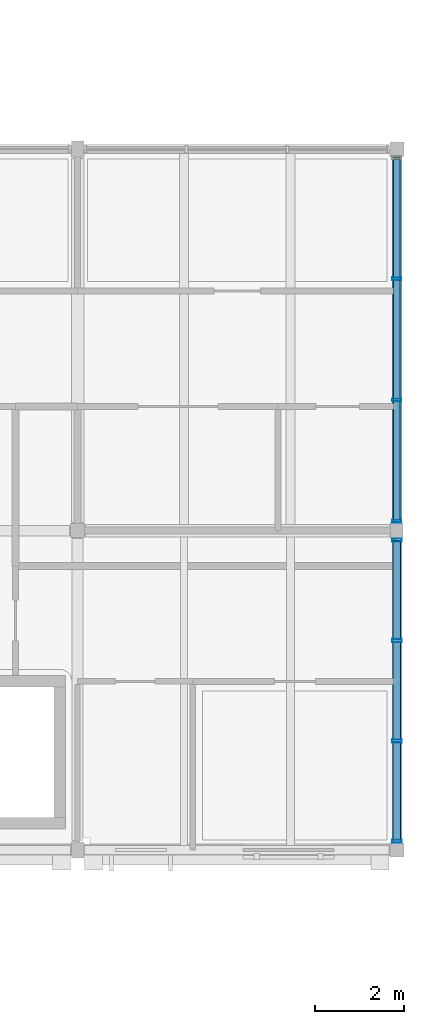
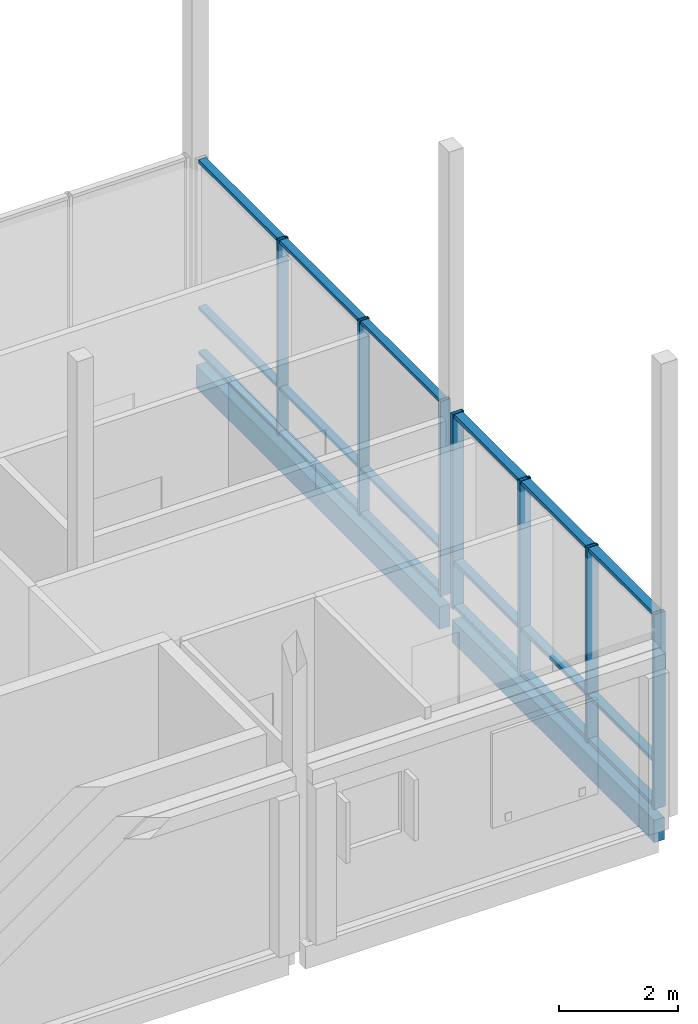
# One storey, part 56 of 115: 25 members, 2 beams, 2 elements without a shape of their own.
"""IFC4 building model written with IfcOpenShell, lengths in metres."""

from ifc_helpers import new_model, si_unit, direction, frame, origin, origin_2d, place, context, subcontext, project, spatial, rectangle, hollow_rectangle, extrude, material, material_profile, profile_set, type_object, element, aggregate, save


model = new_model("IFC4")

# Units and contexts
model_context = context("Model", 3, precision=1e-05, world=origin(), true_north=direction((0.0, 1.0)))
body_context = subcontext(model_context, "Body", "Model", "MODEL_VIEW")
ifc_project = project(units=[si_unit("LENGTHUNIT", "METRE"), si_unit("AREAUNIT", "SQUARE_METRE"), si_unit("VOLUMEUNIT", "CUBIC_METRE"), si_unit("PLANEANGLEUNIT", "RADIAN"), si_unit("MASSUNIT", "GRAM", prefix="KILO")], contexts=[model_context])

# Site, building, storey
site_placement = place(None, origin())
site = spatial("IfcSite", under=ifc_project, at=site_placement, CompositionType="ELEMENT")
building_placement = place(site_placement, origin())
building = spatial("IfcBuilding", under=site, at=building_placement, Name="Hawrajan Terrace Health Centre", CompositionType="ELEMENT")
storey_placement = place(building_placement, frame((0.0, 0.0, 9.0)))
storey = spatial("IfcBuildingStorey", under=building, at=storey_placement, Name="L02", CompositionType="ELEMENT", Elevation=9.0)

# Curtain wall, members
ifc_material_1 = material(Name="Anodized bronze aluminium and low-E solar glazing", Category="aluminium")
curtain_wall_type_1 = type_object("IfcCurtainWallType", Name="CW_Hall_SeriesD1", PredefinedType="USERDEFINED", material=ifc_material_1)
curtain_wall_1_placement = place(storey_placement, origin())
curtain_wall_1 = element("IfcCurtainWall", 1, at=curtain_wall_1_placement, inside=storey, type_object=curtain_wall_type_1, Name="Curtain wall CW-L02-154", ObjectType="UNITISED CURTAIN WALL", PredefinedType="USERDEFINED")
ifc_material_2 = material(Name="Anodized bronze aluminium 6063-T6", Category="aluminium")
ifc_material_profile_1 = material_profile(ifc_material_2, hollow_rectangle(XDim=0.06494140625, YDim=0.199951171875, WallThickness=0.00439453125, at=origin_2d()), Name="CW MUL 65x200")
ifc_profile_set_1 = profile_set([ifc_material_profile_1], Name="Anodized bronze aluminium 6063-T6")
member_type_1 = type_object("IfcMemberType", Name="CWMullion_65x200", PredefinedType="MULLION", material=ifc_profile_set_1)
member_1_placement = place(storey_placement, frame((165.39990234375, 18.8125, -0.0048828125), z_axis=(0.0, 0.0, 1.0), x_axis=(0.0, 1.0, 0.0)))
member_1 = element("IfcMember", 2, at=member_1_placement, type_object=member_type_1, Name="Mullion CW-L02-154-M1", PredefinedType="MULLION", context=body_context, shape_type="SweptSolid", body=[
    extrude(hollow_rectangle(XDim=0.06494140625, YDim=0.199951171875, WallThickness=0.00439453125, at=origin_2d()), origin(), (0.0, 0.0, 1.0), 4.009765625),
])
member_2_placement = place(storey_placement, frame((165.39990234375, 21.544189453125, -0.0048828125), z_axis=(0.0, 0.0, 1.0), x_axis=(0.0, 1.0, 0.0)))
member_2 = element("IfcMember", 3, at=member_2_placement, type_object=member_type_1, Name="Mullion CW-L02-154-M2", PredefinedType="MULLION", context=body_context, shape_type="SweptSolid", body=[
    extrude(hollow_rectangle(XDim=0.06494140625, YDim=0.199951171875, WallThickness=0.00439453125, at=origin_2d()), origin(), (0.0, 0.0, 1.0), 4.009765625),
])
member_3_placement = place(storey_placement, frame((165.39990234375, 24.27587890625, -0.0048828125), z_axis=(0.0, 0.0, 1.0), x_axis=(0.0, 1.0, 0.0)))
member_3 = element("IfcMember", 4, at=member_3_placement, type_object=member_type_1, Name="Mullion CW-L02-154-M3", PredefinedType="MULLION", context=body_context, shape_type="SweptSolid", body=[
    extrude(hollow_rectangle(XDim=0.06494140625, YDim=0.199951171875, WallThickness=0.00439453125, at=origin_2d()), origin(), (0.0, 0.0, 1.0), 4.009765625),
])

curtain_wall_type_2 = type_object("IfcCurtainWallType", Name="CW_CourtNS_SeriesC2", PredefinedType="USERDEFINED", material=ifc_material_1)
curtain_wall_2_placement = place(storey_placement, origin())
curtain_wall_2 = element("IfcCurtainWall", 5, at=curtain_wall_2_placement, inside=storey, type_object=curtain_wall_type_2, Name="Curtain wall CW-L02-152", ObjectType="UNITISED CURTAIN WALL", PredefinedType="USERDEFINED")
ifc_material_profile_2 = material_profile(ifc_material_2, hollow_rectangle(XDim=0.074951171875, YDim=0.219970703125, WallThickness=0.0048828125, at=origin_2d()), Name="CW MUL 75x220")
ifc_profile_set_2 = profile_set([ifc_material_profile_2], Name="Anodized bronze aluminium 6063-T6")
member_type_2 = type_object("IfcMemberType", Name="CWMullion_75x220", PredefinedType="MULLION", material=ifc_profile_set_2)
member_4_placement = place(storey_placement, frame((165.39990234375, 11.597412109375, -0.0048828125), z_axis=(0.0, 0.0, 1.0), x_axis=(0.0, 1.0, 0.0)))
member_4 = element("IfcMember", 6, at=member_4_placement, type_object=member_type_2, Name="Mullion CW-L02-152-M1", PredefinedType="MULLION", context=body_context, shape_type="SweptSolid", body=[
    extrude(hollow_rectangle(XDim=0.074951171875, YDim=0.219970703125, WallThickness=0.0048828125, at=origin_2d()), origin(), (0.0, 0.0, 1.0), 4.009765625),
])
member_5_placement = place(storey_placement, frame((165.39990234375, 13.859130859375, -0.0048828125), z_axis=(0.0, 0.0, 1.0), x_axis=(0.0, 1.0, 0.0)))
member_5 = element("IfcMember", 7, at=member_5_placement, type_object=member_type_2, Name="Mullion CW-L02-152-M2", PredefinedType="MULLION", context=body_context, shape_type="SweptSolid", body=[
    extrude(hollow_rectangle(XDim=0.074951171875, YDim=0.219970703125, WallThickness=0.0048828125, at=origin_2d()), origin(), (0.0, 0.0, 1.0), 4.009765625),
])
member_6_placement = place(storey_placement, frame((165.39990234375, 16.120849609375, -0.0048828125), z_axis=(0.0, 0.0, 1.0), x_axis=(0.0, 1.0, 0.0)))
member_6 = element("IfcMember", 8, at=member_6_placement, type_object=member_type_2, Name="Mullion CW-L02-152-M3", PredefinedType="MULLION", context=body_context, shape_type="SweptSolid", body=[
    extrude(hollow_rectangle(XDim=0.074951171875, YDim=0.219970703125, WallThickness=0.0048828125, at=origin_2d()), origin(), (0.0, 0.0, 1.0), 4.009765625),
])
member_7_placement = place(storey_placement, frame((165.39990234375, 18.382568359375, -0.0048828125), z_axis=(0.0, 0.0, 1.0), x_axis=(0.0, 1.0, 0.0)))
member_7 = element("IfcMember", 9, at=member_7_placement, type_object=member_type_2, Name="Mullion CW-L02-152-M4", PredefinedType="MULLION", context=body_context, shape_type="SweptSolid", body=[
    extrude(hollow_rectangle(XDim=0.074951171875, YDim=0.219970703125, WallThickness=0.0048828125, at=origin_2d()), origin(), (0.0, 0.0, 1.0), 4.009765625),
])

# Member
ifc_material_profile_3 = material_profile(ifc_material_2, hollow_rectangle(XDim=0.06494140625, YDim=0.14990234375, WallThickness=0.00390625, at=origin_2d()), Name="CW TRN 65x150")
ifc_profile_set_3 = profile_set([ifc_material_profile_3], Name="Anodized bronze aluminium 6063-T6")
member_type_3 = type_object("IfcMemberType", Name="CWTransom_65x150", PredefinedType="USERDEFINED", material=ifc_profile_set_3)
member_8_placement = place(storey_placement, frame((165.39990234375, 18.839111328125, 0.032470703125), z_axis=(0.0, 1.0, 0.0), x_axis=(0.0, 0.0, 1.0)))
member_8 = element("IfcMember", 10, at=member_8_placement, type_object=member_type_3, Name="Transom CW-L02-154-T1-1", ObjectType="TRANSOM", PredefinedType="USERDEFINED", context=body_context, shape_type="SweptSolid", body=[
    extrude(hollow_rectangle(XDim=0.06494140625, YDim=0.14990234375, WallThickness=0.00390625, at=origin_2d()), origin(), (0.0, 0.0, 1.0), 2.678466796875),
])

member_9_placement = place(storey_placement, frame((165.39990234375, 18.839111328125, 0.949951171875), z_axis=(0.0, 1.0, 0.0), x_axis=(0.0, 0.0, 1.0)))
member_9 = element("IfcMember", 11, at=member_9_placement, type_object=member_type_3, Name="Transom CW-L02-154-T1-2", ObjectType="TRANSOM", PredefinedType="USERDEFINED", context=body_context, shape_type="SweptSolid", body=[
    extrude(hollow_rectangle(XDim=0.06494140625, YDim=0.14990234375, WallThickness=0.00390625, at=origin_2d()), origin(), (0.0, 0.0, 1.0), 2.678466796875),
])

member_10_placement = place(storey_placement, frame((165.39990234375, 18.839111328125, 3.967529296875), z_axis=(0.0, 1.0, 0.0), x_axis=(0.0, 0.0, 1.0)))
member_10 = element("IfcMember", 12, at=member_10_placement, type_object=member_type_3, Name="Transom CW-L02-154-T1-3", ObjectType="TRANSOM", PredefinedType="USERDEFINED", context=body_context, shape_type="SweptSolid", body=[
    extrude(hollow_rectangle(XDim=0.06494140625, YDim=0.14990234375, WallThickness=0.00390625, at=origin_2d()), origin(), (0.0, 0.0, 1.0), 2.678466796875),
])

member_11_placement = place(storey_placement, frame((165.39990234375, 21.57080078125, 0.032470703125), z_axis=(0.0, 1.0, 0.0), x_axis=(0.0, 0.0, 1.0)))
member_11 = element("IfcMember", 13, at=member_11_placement, type_object=member_type_3, Name="Transom CW-L02-154-T2-1", ObjectType="TRANSOM", PredefinedType="USERDEFINED", context=body_context, shape_type="SweptSolid", body=[
    extrude(hollow_rectangle(XDim=0.06494140625, YDim=0.14990234375, WallThickness=0.00390625, at=origin_2d()), origin(), (0.0, 0.0, 1.0), 2.678466796875),
])

member_12_placement = place(storey_placement, frame((165.39990234375, 21.57080078125, 0.949951171875), z_axis=(0.0, 1.0, 0.0), x_axis=(0.0, 0.0, 1.0)))
member_12 = element("IfcMember", 14, at=member_12_placement, type_object=member_type_3, Name="Transom CW-L02-154-T2-2", ObjectType="TRANSOM", PredefinedType="USERDEFINED", context=body_context, shape_type="SweptSolid", body=[
    extrude(hollow_rectangle(XDim=0.06494140625, YDim=0.14990234375, WallThickness=0.00390625, at=origin_2d()), origin(), (0.0, 0.0, 1.0), 2.678466796875),
])

member_13_placement = place(storey_placement, frame((165.39990234375, 21.57080078125, 3.967529296875), z_axis=(0.0, 1.0, 0.0), x_axis=(0.0, 0.0, 1.0)))
member_13 = element("IfcMember", 15, at=member_13_placement, type_object=member_type_3, Name="Transom CW-L02-154-T2-3", ObjectType="TRANSOM", PredefinedType="USERDEFINED", context=body_context, shape_type="SweptSolid", body=[
    extrude(hollow_rectangle(XDim=0.06494140625, YDim=0.14990234375, WallThickness=0.00390625, at=origin_2d()), origin(), (0.0, 0.0, 1.0), 2.678466796875),
])

member_14_placement = place(storey_placement, frame((165.39990234375, 24.30224609375, 0.032470703125), z_axis=(0.0, 1.0, 0.0), x_axis=(0.0, 0.0, 1.0)))
member_14 = element("IfcMember", 16, at=member_14_placement, type_object=member_type_3, Name="Transom CW-L02-154-T3-1", ObjectType="TRANSOM", PredefinedType="USERDEFINED", context=body_context, shape_type="SweptSolid", body=[
    extrude(hollow_rectangle(XDim=0.06494140625, YDim=0.14990234375, WallThickness=0.00390625, at=origin_2d()), origin(), (0.0, 0.0, 1.0), 2.6787109375),
])

member_15_placement = place(storey_placement, frame((165.39990234375, 24.30224609375, 0.949951171875), z_axis=(0.0, 1.0, 0.0), x_axis=(0.0, 0.0, 1.0)))
member_15 = element("IfcMember", 17, at=member_15_placement, type_object=member_type_3, Name="Transom CW-L02-154-T3-2", ObjectType="TRANSOM", PredefinedType="USERDEFINED", context=body_context, shape_type="SweptSolid", body=[
    extrude(hollow_rectangle(XDim=0.06494140625, YDim=0.14990234375, WallThickness=0.00390625, at=origin_2d()), origin(), (0.0, 0.0, 1.0), 2.6787109375),
])

member_16_placement = place(storey_placement, frame((165.39990234375, 24.30224609375, 3.967529296875), z_axis=(0.0, 1.0, 0.0), x_axis=(0.0, 0.0, 1.0)))
member_16 = element("IfcMember", 18, at=member_16_placement, type_object=member_type_3, Name="Transom CW-L02-154-T3-3", ObjectType="TRANSOM", PredefinedType="USERDEFINED", context=body_context, shape_type="SweptSolid", body=[
    extrude(hollow_rectangle(XDim=0.06494140625, YDim=0.14990234375, WallThickness=0.00390625, at=origin_2d()), origin(), (0.0, 0.0, 1.0), 2.6787109375),
])

aggregate(curtain_wall_1, [member_1, member_2, member_3, member_8, member_9, member_10, member_11, member_12, member_13, member_14, member_15, member_16])

ifc_material_profile_4 = material_profile(ifc_material_2, hollow_rectangle(XDim=0.074951171875, YDim=0.169921875, WallThickness=0.00439453125, at=origin_2d()), Name="CW TRN 75x170")
ifc_profile_set_4 = profile_set([ifc_material_profile_4], Name="Anodized bronze aluminium 6063-T6")
member_type_4 = type_object("IfcMemberType", Name="CWTransom_75x170", PredefinedType="USERDEFINED", material=ifc_profile_set_4)
member_17_placement = place(storey_placement, frame((165.39990234375, 11.62890625, 0.03759765625), z_axis=(0.0, 1.0, 0.0), x_axis=(0.0, 0.0, 1.0)))
member_17 = element("IfcMember", 19, at=member_17_placement, type_object=member_type_4, Name="Transom CW-L02-152-T1-1", ObjectType="TRANSOM", PredefinedType="USERDEFINED", context=body_context, shape_type="SweptSolid", body=[
    extrude(hollow_rectangle(XDim=0.074951171875, YDim=0.169921875, WallThickness=0.00439453125, at=origin_2d()), origin(), (0.0, 0.0, 1.0), 2.19873046875),
])

member_18_placement = place(storey_placement, frame((165.39990234375, 11.62890625, 0.949951171875), z_axis=(0.0, 1.0, 0.0), x_axis=(0.0, 0.0, 1.0)))
member_18 = element("IfcMember", 20, at=member_18_placement, type_object=member_type_4, Name="Transom CW-L02-152-T1-2", ObjectType="TRANSOM", PredefinedType="USERDEFINED", context=body_context, shape_type="SweptSolid", body=[
    extrude(hollow_rectangle(XDim=0.074951171875, YDim=0.169921875, WallThickness=0.00439453125, at=origin_2d()), origin(), (0.0, 0.0, 1.0), 2.19873046875),
])

member_19_placement = place(storey_placement, frame((165.39990234375, 11.62890625, 3.96240234375), z_axis=(0.0, 1.0, 0.0), x_axis=(0.0, 0.0, 1.0)))
member_19 = element("IfcMember", 21, at=member_19_placement, type_object=member_type_4, Name="Transom CW-L02-152-T1-3", ObjectType="TRANSOM", PredefinedType="USERDEFINED", context=body_context, shape_type="SweptSolid", body=[
    extrude(hollow_rectangle(XDim=0.074951171875, YDim=0.169921875, WallThickness=0.00439453125, at=origin_2d()), origin(), (0.0, 0.0, 1.0), 2.19873046875),
])

member_20_placement = place(storey_placement, frame((165.39990234375, 13.890625, 0.03759765625), z_axis=(0.0, 1.0, 0.0), x_axis=(0.0, 0.0, 1.0)))
member_20 = element("IfcMember", 22, at=member_20_placement, type_object=member_type_4, Name="Transom CW-L02-152-T2-1", ObjectType="TRANSOM", PredefinedType="USERDEFINED", context=body_context, shape_type="SweptSolid", body=[
    extrude(hollow_rectangle(XDim=0.074951171875, YDim=0.169921875, WallThickness=0.00439453125, at=origin_2d()), origin(), (0.0, 0.0, 1.0), 2.19873046875),
])

member_21_placement = place(storey_placement, frame((165.39990234375, 13.890625, 0.949951171875), z_axis=(0.0, 1.0, 0.0), x_axis=(0.0, 0.0, 1.0)))
member_21 = element("IfcMember", 23, at=member_21_placement, type_object=member_type_4, Name="Transom CW-L02-152-T2-2", ObjectType="TRANSOM", PredefinedType="USERDEFINED", context=body_context, shape_type="SweptSolid", body=[
    extrude(hollow_rectangle(XDim=0.074951171875, YDim=0.169921875, WallThickness=0.00439453125, at=origin_2d()), origin(), (0.0, 0.0, 1.0), 2.19873046875),
])

member_22_placement = place(storey_placement, frame((165.39990234375, 13.890625, 3.96240234375), z_axis=(0.0, 1.0, 0.0), x_axis=(0.0, 0.0, 1.0)))
member_22 = element("IfcMember", 24, at=member_22_placement, type_object=member_type_4, Name="Transom CW-L02-152-T2-3", ObjectType="TRANSOM", PredefinedType="USERDEFINED", context=body_context, shape_type="SweptSolid", body=[
    extrude(hollow_rectangle(XDim=0.074951171875, YDim=0.169921875, WallThickness=0.00439453125, at=origin_2d()), origin(), (0.0, 0.0, 1.0), 2.19873046875),
])

member_23_placement = place(storey_placement, frame((165.39990234375, 16.15234375, 0.03759765625), z_axis=(0.0, 1.0, 0.0), x_axis=(0.0, 0.0, 1.0)))
member_23 = element("IfcMember", 25, at=member_23_placement, type_object=member_type_4, Name="Transom CW-L02-152-T3-1", ObjectType="TRANSOM", PredefinedType="USERDEFINED", context=body_context, shape_type="SweptSolid", body=[
    extrude(hollow_rectangle(XDim=0.074951171875, YDim=0.169921875, WallThickness=0.00439453125, at=origin_2d()), origin(), (0.0, 0.0, 1.0), 2.19873046875),
])

member_24_placement = place(storey_placement, frame((165.39990234375, 16.15234375, 0.949951171875), z_axis=(0.0, 1.0, 0.0), x_axis=(0.0, 0.0, 1.0)))
member_24 = element("IfcMember", 26, at=member_24_placement, type_object=member_type_4, Name="Transom CW-L02-152-T3-2", ObjectType="TRANSOM", PredefinedType="USERDEFINED", context=body_context, shape_type="SweptSolid", body=[
    extrude(hollow_rectangle(XDim=0.074951171875, YDim=0.169921875, WallThickness=0.00439453125, at=origin_2d()), origin(), (0.0, 0.0, 1.0), 2.19873046875),
])

member_25_placement = place(storey_placement, frame((165.39990234375, 16.15234375, 3.96240234375), z_axis=(0.0, 1.0, 0.0), x_axis=(0.0, 0.0, 1.0)))
member_25 = element("IfcMember", 27, at=member_25_placement, type_object=member_type_4, Name="Transom CW-L02-152-T3-3", ObjectType="TRANSOM", PredefinedType="USERDEFINED", context=body_context, shape_type="SweptSolid", body=[
    extrude(hollow_rectangle(XDim=0.074951171875, YDim=0.169921875, WallThickness=0.00439453125, at=origin_2d()), origin(), (0.0, 0.0, 1.0), 2.19873046875),
])

aggregate(curtain_wall_2, [member_4, member_5, member_6, member_7, member_17, member_18, member_19, member_20, member_21, member_22, member_23, member_24, member_25])

# Beams
ifc_material_3 = material(Name="Glulam GL32h", Category="wood")
ifc_material_profile_5 = material_profile(ifc_material_3, rectangle(XDim=0.199951171875, YDim=0.4599609375, at=origin_2d()), Name="GL SP 200x460")
ifc_profile_set_5 = profile_set([ifc_material_profile_5], Name="Glulam GL32h")
beam_type = type_object("IfcBeamType", Name="GlulamSpandrel_200x460", PredefinedType="SPANDREL", material=ifc_profile_set_5)
beam_1_placement = place(storey_placement, frame((165.39990234375, 11.580078125, -0.469970703125), z_axis=(0.0, 1.0, 0.0), x_axis=(-1.0, 0.0, 0.0)))
element("IfcBeam", 28, at=beam_1_placement, inside=storey, type_object=beam_type, Name="Beam BM-Y-L02-E-X22-2", PredefinedType="SPANDREL", context=body_context, shape_type="SweptSolid", body=[
    extrude(rectangle(XDim=0.199951171875, YDim=0.4599609375, at=origin_2d()), origin(), (0.0, 0.0, 1.0), 6.809814453125),
])
beam_2_placement = place(storey_placement, frame((165.39990234375, 18.81005859375, -0.469970703125), z_axis=(0.0, 1.0, 0.0), x_axis=(-1.0, 0.0, 0.0)))
element("IfcBeam", 29, at=beam_2_placement, inside=storey, type_object=beam_type, Name="Beam BM-Y-L02-E-X22-3", PredefinedType="SPANDREL", context=body_context, shape_type="SweptSolid", body=[
    extrude(rectangle(XDim=0.199951171875, YDim=0.4599609375, at=origin_2d()), origin(), (0.0, 0.0, 1.0), 8.2099609375),
])

save(model, "model.ifc")
